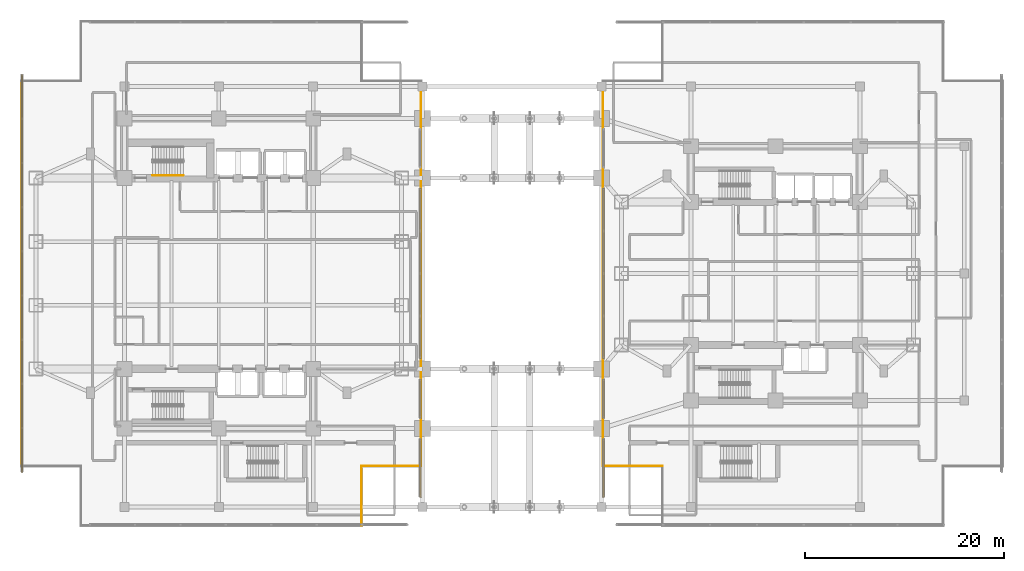
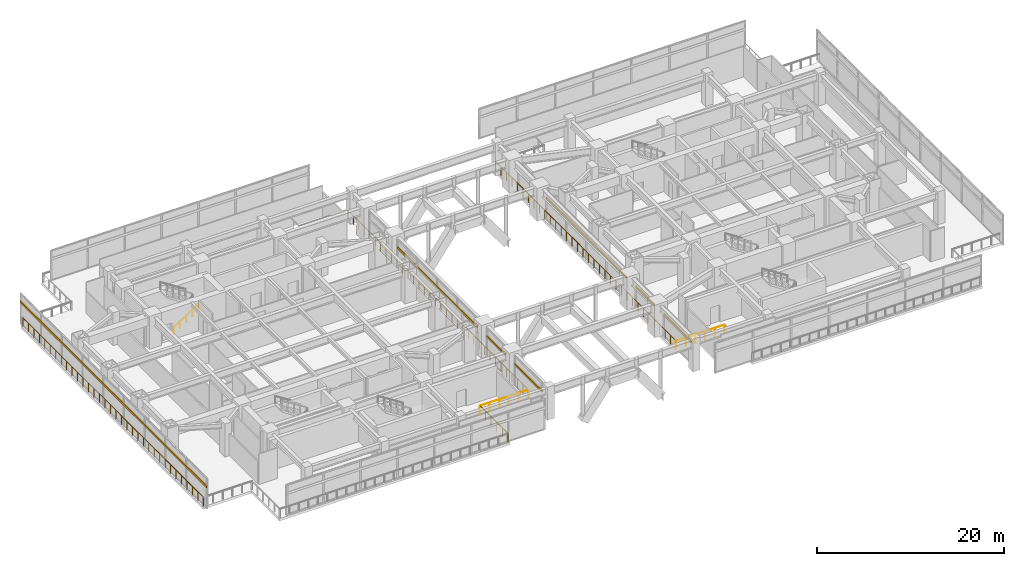
# One storey, part 23 of 30: 7 railings, 7 shading devices.
"""IFC4 building model written with IfcOpenShell, lengths in metres."""

from ifc_helpers import new_model, si_unit, direction, frame, origin, origin_2d, place, context, subcontext, project, spatial, rectangle, circle, extrude, material, material_profile, profile_set, type_object, element, save


model = new_model("IFC4")

# Units and contexts
model_context = context("Model", 3, precision=1e-05, world=origin(), true_north=direction((0.0, 1.0)))
body_context = subcontext(model_context, "Body", "Model", "MODEL_VIEW")
ifc_project = project(units=[si_unit("LENGTHUNIT", "METRE"), si_unit("AREAUNIT", "SQUARE_METRE"), si_unit("VOLUMEUNIT", "CUBIC_METRE"), si_unit("PLANEANGLEUNIT", "RADIAN"), si_unit("MASSUNIT", "GRAM", prefix="KILO")], contexts=[model_context])

# Site, building, storey
site_placement = place(None, origin())
site = spatial("IfcSite", under=ifc_project, at=site_placement, CompositionType="ELEMENT")
building_placement = place(site_placement, origin())
building = spatial("IfcBuilding", under=site, at=building_placement, Name="Mirazonda Arch Towers", CompositionType="ELEMENT")
storey_placement = place(building_placement, frame((0.0, 0.0, 9.5)))
storey = spatial("IfcBuildingStorey", under=building, at=storey_placement, Name="L02", CompositionType="ELEMENT", Elevation=9.5)

# Shading devices
ifc_material_1 = material(Name="Kiln-Fired Architectural Terracotta", Category="masonry")
ifc_material_profile = material_profile(ifc_material_1, rectangle(XDim=0.139892578125, YDim=0.280029296875, at=origin_2d()), Name="TERRA-BAG-140x280")
ifc_profile_set = profile_set([ifc_material_profile], Name="Kiln-Fired Architectural Terracotta")
shading_device_type = type_object("IfcShadingDeviceType", Name="BAGUETTE-3", PredefinedType="USERDEFINED", material=ifc_profile_set)
shading_device_1_placement = place(storey_placement, frame((0.719970703125, 48.0, 2.851318359375), z_axis=(0.0, -1.0, 0.0), x_axis=(1.0, 0.0, 0.0)))
element("IfcShadingDevice", 1, at=shading_device_1_placement, inside=storey, type_object=shading_device_type, Name="L02 Glazed Terracotta Sun-Screen Baguette CW-L02-WW", ObjectType="BAGUETTE", PredefinedType="USERDEFINED", context=body_context, shape_type="SweptSolid", body=[
    extrude(rectangle(XDim=0.139892578125, YDim=0.280029296875, at=origin_2d()), origin(), (0.0, 0.0, 1.0), 40.0),
])
shading_device_2_placement = place(storey_placement, frame((40.780029296875, 36.56005859375, 2.851318359375), z_axis=(0.0, -1.0, 0.0), x_axis=(1.0, 0.0, 0.0)))
element("IfcShadingDevice", 2, at=shading_device_2_placement, inside=storey, type_object=shading_device_type, Name="L02 Glazed Terracotta Sun-Screen Baguette CW-L02-AW-S2", ObjectType="BAGUETTE", PredefinedType="USERDEFINED", context=body_context, shape_type="SweptSolid", body=[
    extrude(rectangle(XDim=0.139892578125, YDim=0.280029296875, at=origin_2d()), origin(), (0.0, 0.0, 1.0), 17.1201171875),
])
shading_device_3_placement = place(storey_placement, frame((40.780029296875, 17.360107421875, 2.851318359375), z_axis=(0.0, -1.0, 0.0), x_axis=(1.0, 0.0, 0.0)))
element("IfcShadingDevice", 3, at=shading_device_3_placement, inside=storey, type_object=shading_device_type, Name="L02 Glazed Terracotta Sun-Screen Baguette CW-L02-AW-S3", ObjectType="BAGUETTE", PredefinedType="USERDEFINED", context=body_context, shape_type="SweptSolid", body=[
    extrude(rectangle(XDim=0.139892578125, YDim=0.280029296875, at=origin_2d()), origin(), (0.0, 0.0, 1.0), 3.920166015625),
])
for number, where, z_axis, x_axis, name in (
    (4, (40.780029296875, 11.360107421875, 2.851318359375), (0.0, -1.0, 0.0), (1.0, 0.0, 0.0), "L02 Glazed Terracotta Sun-Screen Baguette CW-L02-AW-S4"),
    (5, (59.219970703125, 5.5, 2.851318359375), (0.0, 1.0, 0.0), (-1.0, 0.0, 0.0), "L02 Glazed Terracotta Sun-Screen Baguette CW-L02-AE-S1"),
):
    element("IfcShadingDevice", number, at=place(storey_placement, frame(where, z_axis=z_axis, x_axis=x_axis)), inside=storey, type_object=shading_device_type, Name=name, ObjectType="BAGUETTE", PredefinedType="USERDEFINED", context=body_context, shape_type="SweptSolid", body=[
        extrude(rectangle(XDim=0.139892578125, YDim=0.280029296875, at=origin_2d()), origin(), (0.0, 0.0, 1.0), 5.860107421875),
    ])
shading_device_4_placement = place(storey_placement, frame((59.219970703125, 13.43994140625, 2.851318359375), z_axis=(0.0, 1.0, 0.0), x_axis=(-1.0, 0.0, 0.0)))
element("IfcShadingDevice", 6, at=shading_device_4_placement, inside=storey, type_object=shading_device_type, Name="L02 Glazed Terracotta Sun-Screen Baguette CW-L02-AE-S2", ObjectType="BAGUETTE", PredefinedType="USERDEFINED", context=body_context, shape_type="SweptSolid", body=[
    extrude(rectangle(XDim=0.139892578125, YDim=0.280029296875, at=origin_2d()), origin(), (0.0, 0.0, 1.0), 3.920166015625),
])
shading_device_5_placement = place(storey_placement, frame((59.219970703125, 19.43994140625, 2.851318359375), z_axis=(0.0, 1.0, 0.0), x_axis=(-1.0, 0.0, 0.0)))
element("IfcShadingDevice", 7, at=shading_device_5_placement, inside=storey, type_object=shading_device_type, Name="L02 Glazed Terracotta Sun-Screen Baguette CW-L02-AE-S3", ObjectType="BAGUETTE", PredefinedType="USERDEFINED", context=body_context, shape_type="SweptSolid", body=[
    extrude(rectangle(XDim=0.139892578125, YDim=0.280029296875, at=origin_2d()), origin(), (0.0, 0.0, 1.0), 17.1201171875),
])

# Railings
ifc_material_2 = material(Name="Architectural Brushed Steel S355", Category="steel")
railing_type_1 = type_object("IfcRailingType", Name="GUARD-EXT-1150", PredefinedType="GUARDRAIL", material=ifc_material_2)
railing_1_placement = place(storey_placement, frame((34.860107421875, 2.639892578125, 0.0)))
element("IfcRailing", 8, at=railing_1_placement, inside=storey, type_object=railing_type_1, Name="L02 L02 West Podium Perimeter Guard 02", PredefinedType="GUARDRAIL", context=body_context, shape_type="SweptSolid", body=[
    extrude(circle(Radius=0.02392578125, at=origin_2d()), frame((0.0, 0.0, 1.1259765625), z_axis=(0.0, 1.0, 0.0), x_axis=(-1.0, 0.0, 0.0)), (0.0, 0.0, 1.0), 6.0),
    extrude(circle(Radius=0.02099609375, at=origin_2d()), origin(), (0.0, 0.0, 1.0), 1.101806640625),
    extrude(circle(Radius=0.02099609375, at=origin_2d()), frame((0.0, 1.199951171875, 0.0)), (0.0, 0.0, 1.0), 1.101806640625),
    extrude(circle(Radius=0.02099609375, at=origin_2d()), frame((0.0, 2.39990234375, 0.0)), (0.0, 0.0, 1.0), 1.101806640625),
    extrude(circle(Radius=0.02099609375, at=origin_2d()), frame((0.0, 3.60009765625, 0.0)), (0.0, 0.0, 1.0), 1.101806640625),
    extrude(circle(Radius=0.02099609375, at=origin_2d()), frame((0.0, 4.800048828125, 0.0)), (0.0, 0.0, 1.0), 1.101806640625),
    extrude(circle(Radius=0.02099609375, at=origin_2d()), frame((0.0, 6.0, 0.0)), (0.0, 0.0, 1.0), 1.101806640625),
])
railing_2_placement = place(storey_placement, frame((34.860107421875, 8.639892578125, 0.0)))
element("IfcRailing", 9, at=railing_2_placement, inside=storey, type_object=railing_type_1, Name="L02 L02 West Podium Perimeter Guard 03", PredefinedType="GUARDRAIL", context=body_context, shape_type="SweptSolid", body=[
    extrude(circle(Radius=0.02392578125, at=origin_2d()), frame((0.0, 0.0, 1.1259765625), z_axis=(1.0, 0.0, 0.0), x_axis=(0.0, 1.0, 0.0)), (0.0, 0.0, 1.0), 6.0),
    extrude(circle(Radius=0.02099609375, at=origin_2d()), origin(), (0.0, 0.0, 1.0), 1.101806640625),
    extrude(circle(Radius=0.02099609375, at=origin_2d()), frame((1.199951171875, 0.0, 0.0)), (0.0, 0.0, 1.0), 1.101806640625),
    extrude(circle(Radius=0.02099609375, at=origin_2d()), frame((2.39990234375, 0.0, 0.0)), (0.0, 0.0, 1.0), 1.101806640625),
    extrude(circle(Radius=0.02099609375, at=origin_2d()), frame((3.60009765625, 0.0, 0.0)), (0.0, 0.0, 1.0), 1.101806640625),
    extrude(circle(Radius=0.02099609375, at=origin_2d()), frame((4.800048828125, 0.0, 0.0)), (0.0, 0.0, 1.0), 1.101806640625),
    extrude(circle(Radius=0.02099609375, at=origin_2d()), frame((6.0, 0.0, 0.0)), (0.0, 0.0, 1.0), 1.101806640625),
])
railing_3_placement = place(storey_placement, frame((40.860107421875, 8.639892578125, 0.0)))
element("IfcRailing", 10, at=railing_3_placement, inside=storey, type_object=railing_type_1, Name="L02 L02 West Podium Perimeter Guard 04", PredefinedType="GUARDRAIL", context=body_context, shape_type="SweptSolid", body=[
    extrude(circle(Radius=0.02392578125, at=origin_2d()), frame((0.0, 0.0, 1.1259765625), z_axis=(0.0, 1.0, 0.0), x_axis=(-1.0, 0.0, 0.0)), (0.0, 0.0, 1.0), 38.72021484375),
    extrude(circle(Radius=0.02099609375, at=origin_2d()), origin(), (0.0, 0.0, 1.0), 1.101806640625),
    extrude(circle(Radius=0.02099609375, at=origin_2d()), frame((0.0, 1.17333984375, 0.0)), (0.0, 0.0, 1.0), 1.101806640625),
    extrude(circle(Radius=0.02099609375, at=origin_2d()), frame((0.0, 2.3466796875, 0.0)), (0.0, 0.0, 1.0), 1.101806640625),
    extrude(circle(Radius=0.02099609375, at=origin_2d()), frame((0.0, 3.52001953125, 0.0)), (0.0, 0.0, 1.0), 1.101806640625),
    extrude(circle(Radius=0.02099609375, at=origin_2d()), frame((0.0, 4.693359375, 0.0)), (0.0, 0.0, 1.0), 1.101806640625),
    extrude(circle(Radius=0.02099609375, at=origin_2d()), frame((0.0, 5.86669921875, 0.0)), (0.0, 0.0, 1.0), 1.101806640625),
    extrude(circle(Radius=0.02099609375, at=origin_2d()), frame((0.0, 7.0400390625, 0.0)), (0.0, 0.0, 1.0), 1.101806640625),
    extrude(circle(Radius=0.02099609375, at=origin_2d()), frame((0.0, 8.21337890625, 0.0)), (0.0, 0.0, 1.0), 1.101806640625),
    extrude(circle(Radius=0.02099609375, at=origin_2d()), frame((0.0, 9.38671875, 0.0)), (0.0, 0.0, 1.0), 1.101806640625),
    extrude(circle(Radius=0.02099609375, at=origin_2d()), frame((0.0, 10.56005859375, 0.0)), (0.0, 0.0, 1.0), 1.101806640625),
    extrude(circle(Radius=0.02099609375, at=origin_2d()), frame((0.0, 11.7333984375, 0.0)), (0.0, 0.0, 1.0), 1.101806640625),
    extrude(circle(Radius=0.02099609375, at=origin_2d()), frame((0.0, 12.90673828125, 0.0)), (0.0, 0.0, 1.0), 1.101806640625),
    extrude(circle(Radius=0.02099609375, at=origin_2d()), frame((0.0, 14.080078125, 0.0)), (0.0, 0.0, 1.0), 1.101806640625),
    extrude(circle(Radius=0.02099609375, at=origin_2d()), frame((0.0, 15.25341796875, 0.0)), (0.0, 0.0, 1.0), 1.101806640625),
    extrude(circle(Radius=0.02099609375, at=origin_2d()), frame((0.0, 16.4267578125, 0.0)), (0.0, 0.0, 1.0), 1.101806640625),
    extrude(circle(Radius=0.02099609375, at=origin_2d()), frame((0.0, 17.60009765625, 0.0)), (0.0, 0.0, 1.0), 1.101806640625),
    extrude(circle(Radius=0.02099609375, at=origin_2d()), frame((0.0, 18.7734375, 0.0)), (0.0, 0.0, 1.0), 1.101806640625),
    extrude(circle(Radius=0.02099609375, at=origin_2d()), frame((0.0, 19.94677734375, 0.0)), (0.0, 0.0, 1.0), 1.101806640625),
    extrude(circle(Radius=0.02099609375, at=origin_2d()), frame((0.0, 21.1201171875, 0.0)), (0.0, 0.0, 1.0), 1.101806640625),
    extrude(circle(Radius=0.02099609375, at=origin_2d()), frame((0.0, 22.29345703125, 0.0)), (0.0, 0.0, 1.0), 1.101806640625),
    extrude(circle(Radius=0.02099609375, at=origin_2d()), frame((0.0, 23.466796875, 0.0)), (0.0, 0.0, 1.0), 1.101806640625),
    extrude(circle(Radius=0.02099609375, at=origin_2d()), frame((0.0, 24.64013671875, 0.0)), (0.0, 0.0, 1.0), 1.101806640625),
    extrude(circle(Radius=0.02099609375, at=origin_2d()), frame((0.0, 25.8134765625, 0.0)), (0.0, 0.0, 1.0), 1.101806640625),
    extrude(circle(Radius=0.02099609375, at=origin_2d()), frame((0.0, 26.98681640625, 0.0)), (0.0, 0.0, 1.0), 1.101806640625),
    extrude(circle(Radius=0.02099609375, at=origin_2d()), frame((0.0, 28.16015625, 0.0)), (0.0, 0.0, 1.0), 1.101806640625),
    extrude(circle(Radius=0.02099609375, at=origin_2d()), frame((0.0, 29.33349609375, 0.0)), (0.0, 0.0, 1.0), 1.101806640625),
    extrude(circle(Radius=0.02099609375, at=origin_2d()), frame((0.0, 30.5068359375, 0.0)), (0.0, 0.0, 1.0), 1.101806640625),
    extrude(circle(Radius=0.02099609375, at=origin_2d()), frame((0.0, 31.68017578125, 0.0)), (0.0, 0.0, 1.0), 1.101806640625),
    extrude(circle(Radius=0.02099609375, at=origin_2d()), frame((0.0, 32.853515625, 0.0)), (0.0, 0.0, 1.0), 1.101806640625),
    extrude(circle(Radius=0.02099609375, at=origin_2d()), frame((0.0, 34.02685546875, 0.0)), (0.0, 0.0, 1.0), 1.101806640625),
    extrude(circle(Radius=0.02099609375, at=origin_2d()), frame((0.0, 35.2001953125, 0.0)), (0.0, 0.0, 1.0), 1.101806640625),
    extrude(circle(Radius=0.02099609375, at=origin_2d()), frame((0.0, 36.37353515625, 0.0)), (0.0, 0.0, 1.0), 1.101806640625),
    extrude(circle(Radius=0.02099609375, at=origin_2d()), frame((0.0, 37.546875, 0.0)), (0.0, 0.0, 1.0), 1.101806640625),
    extrude(circle(Radius=0.02099609375, at=origin_2d()), frame((0.0, 38.72021484375, 0.0)), (0.0, 0.0, 1.0), 1.101806640625),
])
railing_4_placement = place(storey_placement, frame((0.639892578125, 47.360107421875, 0.0)))
element("IfcRailing", 11, at=railing_4_placement, inside=storey, type_object=railing_type_1, Name="L02 L02 West Podium Perimeter Guard 10", PredefinedType="GUARDRAIL", context=body_context, shape_type="SweptSolid", body=[
    extrude(circle(Radius=0.02392578125, at=origin_2d()), frame((0.0, 0.0, 1.1259765625), z_axis=(0.0, -1.0, 0.0), x_axis=(1.0, 0.0, 0.0)), (0.0, 0.0, 1.0), 38.72021484375),
    extrude(circle(Radius=0.02099609375, at=origin_2d()), origin(), (0.0, 0.0, 1.0), 1.101806640625),
    extrude(circle(Radius=0.02099609375, at=origin_2d()), frame((0.0, -1.17333984375, 0.0)), (0.0, 0.0, 1.0), 1.101806640625),
    extrude(circle(Radius=0.02099609375, at=origin_2d()), frame((0.0, -2.3466796875, 0.0)), (0.0, 0.0, 1.0), 1.101806640625),
    extrude(circle(Radius=0.02099609375, at=origin_2d()), frame((0.0, -3.52001953125, 0.0)), (0.0, 0.0, 1.0), 1.101806640625),
    extrude(circle(Radius=0.02099609375, at=origin_2d()), frame((0.0, -4.693359375, 0.0)), (0.0, 0.0, 1.0), 1.101806640625),
    extrude(circle(Radius=0.02099609375, at=origin_2d()), frame((0.0, -5.86669921875, 0.0)), (0.0, 0.0, 1.0), 1.101806640625),
    extrude(circle(Radius=0.02099609375, at=origin_2d()), frame((0.0, -7.0400390625, 0.0)), (0.0, 0.0, 1.0), 1.101806640625),
    extrude(circle(Radius=0.02099609375, at=origin_2d()), frame((0.0, -8.21337890625, 0.0)), (0.0, 0.0, 1.0), 1.101806640625),
    extrude(circle(Radius=0.02099609375, at=origin_2d()), frame((0.0, -9.38671875, 0.0)), (0.0, 0.0, 1.0), 1.101806640625),
    extrude(circle(Radius=0.02099609375, at=origin_2d()), frame((0.0, -10.56005859375, 0.0)), (0.0, 0.0, 1.0), 1.101806640625),
    extrude(circle(Radius=0.02099609375, at=origin_2d()), frame((0.0, -11.7333984375, 0.0)), (0.0, 0.0, 1.0), 1.101806640625),
    extrude(circle(Radius=0.02099609375, at=origin_2d()), frame((0.0, -12.90673828125, 0.0)), (0.0, 0.0, 1.0), 1.101806640625),
    extrude(circle(Radius=0.02099609375, at=origin_2d()), frame((0.0, -14.080078125, 0.0)), (0.0, 0.0, 1.0), 1.101806640625),
    extrude(circle(Radius=0.02099609375, at=origin_2d()), frame((0.0, -15.25341796875, 0.0)), (0.0, 0.0, 1.0), 1.101806640625),
    extrude(circle(Radius=0.02099609375, at=origin_2d()), frame((0.0, -16.4267578125, 0.0)), (0.0, 0.0, 1.0), 1.101806640625),
    extrude(circle(Radius=0.02099609375, at=origin_2d()), frame((0.0, -17.60009765625, 0.0)), (0.0, 0.0, 1.0), 1.101806640625),
    extrude(circle(Radius=0.02099609375, at=origin_2d()), frame((0.0, -18.7734375, 0.0)), (0.0, 0.0, 1.0), 1.101806640625),
    extrude(circle(Radius=0.02099609375, at=origin_2d()), frame((0.0, -19.94677734375, 0.0)), (0.0, 0.0, 1.0), 1.101806640625),
    extrude(circle(Radius=0.02099609375, at=origin_2d()), frame((0.0, -21.1201171875, 0.0)), (0.0, 0.0, 1.0), 1.101806640625),
    extrude(circle(Radius=0.02099609375, at=origin_2d()), frame((0.0, -22.29345703125, 0.0)), (0.0, 0.0, 1.0), 1.101806640625),
    extrude(circle(Radius=0.02099609375, at=origin_2d()), frame((0.0, -23.466796875, 0.0)), (0.0, 0.0, 1.0), 1.101806640625),
    extrude(circle(Radius=0.02099609375, at=origin_2d()), frame((0.0, -24.64013671875, 0.0)), (0.0, 0.0, 1.0), 1.101806640625),
    extrude(circle(Radius=0.02099609375, at=origin_2d()), frame((0.0, -25.8134765625, 0.0)), (0.0, 0.0, 1.0), 1.101806640625),
    extrude(circle(Radius=0.02099609375, at=origin_2d()), frame((0.0, -26.98681640625, 0.0)), (0.0, 0.0, 1.0), 1.101806640625),
    extrude(circle(Radius=0.02099609375, at=origin_2d()), frame((0.0, -28.16015625, 0.0)), (0.0, 0.0, 1.0), 1.101806640625),
    extrude(circle(Radius=0.02099609375, at=origin_2d()), frame((0.0, -29.33349609375, 0.0)), (0.0, 0.0, 1.0), 1.101806640625),
    extrude(circle(Radius=0.02099609375, at=origin_2d()), frame((0.0, -30.5068359375, 0.0)), (0.0, 0.0, 1.0), 1.101806640625),
    extrude(circle(Radius=0.02099609375, at=origin_2d()), frame((0.0, -31.68017578125, 0.0)), (0.0, 0.0, 1.0), 1.101806640625),
    extrude(circle(Radius=0.02099609375, at=origin_2d()), frame((0.0, -32.853515625, 0.0)), (0.0, 0.0, 1.0), 1.101806640625),
    extrude(circle(Radius=0.02099609375, at=origin_2d()), frame((0.0, -34.02685546875, 0.0)), (0.0, 0.0, 1.0), 1.101806640625),
    extrude(circle(Radius=0.02099609375, at=origin_2d()), frame((0.0, -35.2001953125, 0.0)), (0.0, 0.0, 1.0), 1.101806640625),
    extrude(circle(Radius=0.02099609375, at=origin_2d()), frame((0.0, -36.37353515625, 0.0)), (0.0, 0.0, 1.0), 1.101806640625),
    extrude(circle(Radius=0.02099609375, at=origin_2d()), frame((0.0, -37.546875, 0.0)), (0.0, 0.0, 1.0), 1.101806640625),
    extrude(circle(Radius=0.02099609375, at=origin_2d()), frame((0.0, -38.72021484375, 0.0)), (0.0, 0.0, 1.0), 1.101806640625),
])
railing_5_placement = place(storey_placement, frame((59.139892578125, 47.360107421875, 0.0)))
element("IfcRailing", 12, at=railing_5_placement, inside=storey, type_object=railing_type_1, Name="L02 L02 East Podium Perimeter Guard 10", PredefinedType="GUARDRAIL", context=body_context, shape_type="SweptSolid", body=[
    extrude(circle(Radius=0.02392578125, at=origin_2d()), frame((0.0, 0.0, 1.1259765625), z_axis=(0.0, -1.0, 0.0), x_axis=(1.0, 0.0, 0.0)), (0.0, 0.0, 1.0), 38.72021484375),
    extrude(circle(Radius=0.02099609375, at=origin_2d()), origin(), (0.0, 0.0, 1.0), 1.101806640625),
    extrude(circle(Radius=0.02099609375, at=origin_2d()), frame((0.0, -1.17333984375, 0.0)), (0.0, 0.0, 1.0), 1.101806640625),
    extrude(circle(Radius=0.02099609375, at=origin_2d()), frame((0.0, -2.3466796875, 0.0)), (0.0, 0.0, 1.0), 1.101806640625),
    extrude(circle(Radius=0.02099609375, at=origin_2d()), frame((0.0, -3.52001953125, 0.0)), (0.0, 0.0, 1.0), 1.101806640625),
    extrude(circle(Radius=0.02099609375, at=origin_2d()), frame((0.0, -4.693359375, 0.0)), (0.0, 0.0, 1.0), 1.101806640625),
    extrude(circle(Radius=0.02099609375, at=origin_2d()), frame((0.0, -5.86669921875, 0.0)), (0.0, 0.0, 1.0), 1.101806640625),
    extrude(circle(Radius=0.02099609375, at=origin_2d()), frame((0.0, -7.0400390625, 0.0)), (0.0, 0.0, 1.0), 1.101806640625),
    extrude(circle(Radius=0.02099609375, at=origin_2d()), frame((0.0, -8.21337890625, 0.0)), (0.0, 0.0, 1.0), 1.101806640625),
    extrude(circle(Radius=0.02099609375, at=origin_2d()), frame((0.0, -9.38671875, 0.0)), (0.0, 0.0, 1.0), 1.101806640625),
    extrude(circle(Radius=0.02099609375, at=origin_2d()), frame((0.0, -10.56005859375, 0.0)), (0.0, 0.0, 1.0), 1.101806640625),
    extrude(circle(Radius=0.02099609375, at=origin_2d()), frame((0.0, -11.7333984375, 0.0)), (0.0, 0.0, 1.0), 1.101806640625),
    extrude(circle(Radius=0.02099609375, at=origin_2d()), frame((0.0, -12.90673828125, 0.0)), (0.0, 0.0, 1.0), 1.101806640625),
    extrude(circle(Radius=0.02099609375, at=origin_2d()), frame((0.0, -14.080078125, 0.0)), (0.0, 0.0, 1.0), 1.101806640625),
    extrude(circle(Radius=0.02099609375, at=origin_2d()), frame((0.0, -15.25341796875, 0.0)), (0.0, 0.0, 1.0), 1.101806640625),
    extrude(circle(Radius=0.02099609375, at=origin_2d()), frame((0.0, -16.4267578125, 0.0)), (0.0, 0.0, 1.0), 1.101806640625),
    extrude(circle(Radius=0.02099609375, at=origin_2d()), frame((0.0, -17.60009765625, 0.0)), (0.0, 0.0, 1.0), 1.101806640625),
    extrude(circle(Radius=0.02099609375, at=origin_2d()), frame((0.0, -18.7734375, 0.0)), (0.0, 0.0, 1.0), 1.101806640625),
    extrude(circle(Radius=0.02099609375, at=origin_2d()), frame((0.0, -19.94677734375, 0.0)), (0.0, 0.0, 1.0), 1.101806640625),
    extrude(circle(Radius=0.02099609375, at=origin_2d()), frame((0.0, -21.1201171875, 0.0)), (0.0, 0.0, 1.0), 1.101806640625),
    extrude(circle(Radius=0.02099609375, at=origin_2d()), frame((0.0, -22.29345703125, 0.0)), (0.0, 0.0, 1.0), 1.101806640625),
    extrude(circle(Radius=0.02099609375, at=origin_2d()), frame((0.0, -23.466796875, 0.0)), (0.0, 0.0, 1.0), 1.101806640625),
    extrude(circle(Radius=0.02099609375, at=origin_2d()), frame((0.0, -24.64013671875, 0.0)), (0.0, 0.0, 1.0), 1.101806640625),
    extrude(circle(Radius=0.02099609375, at=origin_2d()), frame((0.0, -25.8134765625, 0.0)), (0.0, 0.0, 1.0), 1.101806640625),
    extrude(circle(Radius=0.02099609375, at=origin_2d()), frame((0.0, -26.98681640625, 0.0)), (0.0, 0.0, 1.0), 1.101806640625),
    extrude(circle(Radius=0.02099609375, at=origin_2d()), frame((0.0, -28.16015625, 0.0)), (0.0, 0.0, 1.0), 1.101806640625),
    extrude(circle(Radius=0.02099609375, at=origin_2d()), frame((0.0, -29.33349609375, 0.0)), (0.0, 0.0, 1.0), 1.101806640625),
    extrude(circle(Radius=0.02099609375, at=origin_2d()), frame((0.0, -30.5068359375, 0.0)), (0.0, 0.0, 1.0), 1.101806640625),
    extrude(circle(Radius=0.02099609375, at=origin_2d()), frame((0.0, -31.68017578125, 0.0)), (0.0, 0.0, 1.0), 1.101806640625),
    extrude(circle(Radius=0.02099609375, at=origin_2d()), frame((0.0, -32.853515625, 0.0)), (0.0, 0.0, 1.0), 1.101806640625),
    extrude(circle(Radius=0.02099609375, at=origin_2d()), frame((0.0, -34.02685546875, 0.0)), (0.0, 0.0, 1.0), 1.101806640625),
    extrude(circle(Radius=0.02099609375, at=origin_2d()), frame((0.0, -35.2001953125, 0.0)), (0.0, 0.0, 1.0), 1.101806640625),
    extrude(circle(Radius=0.02099609375, at=origin_2d()), frame((0.0, -36.37353515625, 0.0)), (0.0, 0.0, 1.0), 1.101806640625),
    extrude(circle(Radius=0.02099609375, at=origin_2d()), frame((0.0, -37.546875, 0.0)), (0.0, 0.0, 1.0), 1.101806640625),
    extrude(circle(Radius=0.02099609375, at=origin_2d()), frame((0.0, -38.72021484375, 0.0)), (0.0, 0.0, 1.0), 1.101806640625),
])
railing_6_placement = place(storey_placement, frame((59.139892578125, 8.639892578125, 0.0)))
element("IfcRailing", 13, at=railing_6_placement, inside=storey, type_object=railing_type_1, Name="L02 L02 East Podium Perimeter Guard 11", PredefinedType="GUARDRAIL", context=body_context, shape_type="SweptSolid", body=[
    extrude(circle(Radius=0.02392578125, at=origin_2d()), frame((0.0, 0.0, 1.1259765625), z_axis=(1.0, 0.0, 0.0), x_axis=(0.0, 1.0, 0.0)), (0.0, 0.0, 1.0), 6.0),
    extrude(circle(Radius=0.02099609375, at=origin_2d()), origin(), (0.0, 0.0, 1.0), 1.101806640625),
    extrude(circle(Radius=0.02099609375, at=origin_2d()), frame((1.199951171875, 0.0, 0.0)), (0.0, 0.0, 1.0), 1.101806640625),
    extrude(circle(Radius=0.02099609375, at=origin_2d()), frame((2.39990234375, 0.0, 0.0)), (0.0, 0.0, 1.0), 1.101806640625),
    extrude(circle(Radius=0.02099609375, at=origin_2d()), frame((3.60009765625, 0.0, 0.0)), (0.0, 0.0, 1.0), 1.101806640625),
    extrude(circle(Radius=0.02099609375, at=origin_2d()), frame((4.800048828125, 0.0, 0.0)), (0.0, 0.0, 1.0), 1.101806640625),
    extrude(circle(Radius=0.02099609375, at=origin_2d()), frame((6.0, 0.0, 0.0)), (0.0, 0.0, 1.0), 1.101806640625),
])
railing_type_2 = type_object("IfcRailingType", Name="HANDRAIL-915", PredefinedType="HANDRAIL", material=ifc_material_2)
railing_7_placement = place(storey_placement, frame((13.85009765625, 37.8701171875, 0.17919921875)))
element("IfcRailing", 14, at=railing_7_placement, inside=storey, type_object=railing_type_2, Name="L02 ST-T1N stair handrail 1", PredefinedType="HANDRAIL", context=body_context, shape_type="SweptSolid", body=[
    extrude(circle(Radius=0.02392578125, at=origin_2d()), frame((0.0, 0.0, 0.8759765625), z_axis=(0.842319903074, 0.0, 0.538977903893), x_axis=(0.0, 1.0, 0.0)), (0.0, 0.0, 1.0), 3.65625),
    extrude(circle(Radius=0.02099609375, at=origin_2d()), origin(), (0.0, 0.0, 1.0), 0.851806640625),
    extrude(circle(Radius=0.02099609375, at=origin_2d()), frame((0.77001953125, 0.0, 0.49267578125)), (0.0, 0.0, 1.0), 0.851806640625),
    extrude(circle(Radius=0.02099609375, at=origin_2d()), frame((1.5400390625, 0.0, 0.9853515625)), (0.0, 0.0, 1.0), 0.851806640625),
    extrude(circle(Radius=0.02099609375, at=origin_2d()), frame((2.309814453125, 0.0, 1.47802734375)), (0.0, 0.0, 1.0), 0.851806640625),
    extrude(circle(Radius=0.02099609375, at=origin_2d()), frame((3.079833984375, 0.0, 1.970703125)), (0.0, 0.0, 1.0), 0.851806640625),
])

save(model, "model.ifc")
